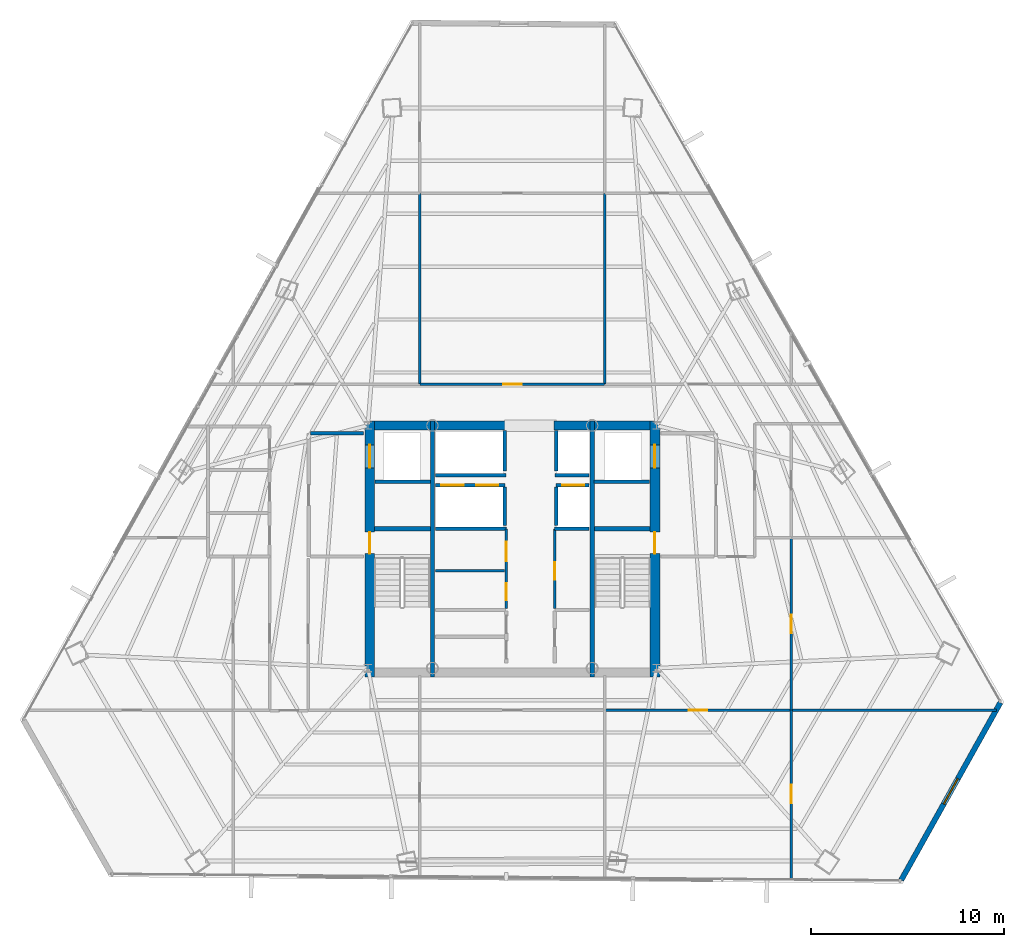
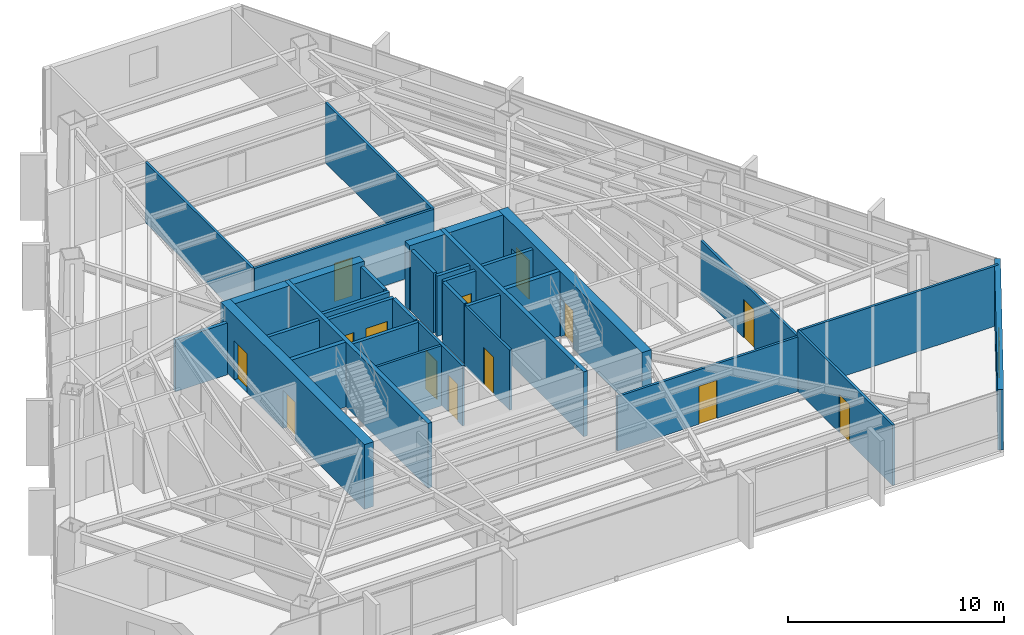
# One storey, part 34 of 38: 34 walls, 14 doors, 1 window, 15 openings.
"""IFC4 building model written with IfcOpenShell, lengths in metres."""

from ifc_helpers import new_model, si_unit, direction, frame, frame_2d, origin, place, context, subcontext, project, spatial, rectangle, extrude, material, layer, layer_set, type_object, element, fill, save


model = new_model("IFC4")

# Units and contexts
model_context = context("Model", 3, precision=1e-05, world=origin(), true_north=direction((0.0, 1.0)))
body_context = subcontext(model_context, "Body", "Model", "MODEL_VIEW")
ifc_project = project(units=[si_unit("LENGTHUNIT", "METRE"), si_unit("AREAUNIT", "SQUARE_METRE"), si_unit("VOLUMEUNIT", "CUBIC_METRE"), si_unit("PLANEANGLEUNIT", "RADIAN"), si_unit("MASSUNIT", "GRAM", prefix="KILO")], contexts=[model_context])

# Site, building, storey
site_placement = place(None, origin())
site = spatial("IfcSite", under=ifc_project, at=site_placement, CompositionType="ELEMENT")
building_placement = place(site_placement, origin())
building = spatial("IfcBuilding", under=site, at=building_placement, Name="Caelisora Broadcast Tower", CompositionType="ELEMENT")
storey_placement = place(building_placement, frame((0.0, 0.0, 154.85009765625)))
storey = spatial("IfcBuildingStorey", under=building, at=storey_placement, Name="L40", CompositionType="ELEMENT", Elevation=154.85009765625)

# Wall, openings, doors
ifc_material_1 = material(Name="Concrete 50 MPa (AS 3600 S50)", Category="concrete")
ifc_layer_1 = layer(ifc_material_1, 0.5, Name="Concrete 50 MPa (AS 3600 S50)")
ifc_layer_set_1 = layer_set([ifc_layer_1], Name="Concrete 50 MPa (AS 3600 S50)")
wall_type_1 = type_object("IfcWallType", Name="CW2", PredefinedType="SHEAR", material=ifc_layer_set_1)
wall_1_placement = place(storey_placement, frame((30.590087890625, 16.949951171875, 0.0), z_axis=(0.0, 0.0, 1.0), x_axis=(0.0, 1.0, 0.0)))
wall_1 = element("IfcWall", 1, at=wall_1_placement, inside=storey, type_object=wall_type_1, Name="L40 core shear wall CW2", PredefinedType="SHEAR", context=body_context, shape_type="SweptSolid", body=[
    extrude(rectangle(XDim=13.275146484375, YDim=0.5, at=frame_2d((6.6376953125, 0.0))), origin(), (0.0, 0.0, 1.0), 3.64990234375),
])
opening_1_placement = place(wall_1_placement, frame((6.39990234375, 0.0, 0.0)))
opening_1 = element("IfcOpeningElement", 2, at=opening_1_placement, cuts=wall_1, Name="Opening FD04", PredefinedType="OPENING", context=body_context, shape_type="SweptSolid", body=[
    extrude(rectangle(XDim=1.1201171875, YDim=2.14990234375, at=frame_2d((0.56005859375, 1.074951171875))), frame((0.0, 0.261962890625, 0.0), z_axis=(0.0, -1.0, 0.0), x_axis=(1.0, 0.0, 0.0)), (0.0, 0.0, 1.0), 0.52392578125),
])
opening_2_placement = place(wall_1_placement, frame((10.85009765625, 0.0, 0.0)))
opening_2 = element("IfcOpeningElement", 3, at=opening_2_placement, cuts=wall_1, Name="Opening LD04", PredefinedType="OPENING", context=body_context, shape_type="SweptSolid", body=[
    extrude(rectangle(XDim=1.199951171875, YDim=2.199951171875, at=frame_2d((0.60009765625, 1.10009765625))), frame((0.0, 0.261962890625, 0.0), z_axis=(0.0, -1.0, 0.0), x_axis=(1.0, 0.0, 0.0)), (0.0, 0.0, 1.0), 0.52392578125),
])
ifc_material_2 = material(Name="Pressurised Fire-Isolated Stair Door", Category="steel")
door_type_1 = type_object("IfcDoorType", Name="FD04", OperationType="NOTDEFINED", PredefinedType="DOOR", material=ifc_material_2)
door_1_placement = place(opening_1_placement, origin())
door_1 = element("IfcDoor", 4, at=door_1_placement, inside=storey, type_object=door_type_1, Name="L40 door FD04 (L40-DR-ST1)", OperationType="SINGLE_SWING_LEFT", OverallHeight=2.14990234375, OverallWidth=1.1201171875, PredefinedType="DOOR", context=body_context, shape_type="SweptSolid", body=[
    extrude(rectangle(XDim=1.1201171875, YDim=2.14990234375, at=frame_2d((0.56005859375, 1.074951171875))), frame((0.0, 0.02490234375, 0.0), z_axis=(0.0, -1.0, 0.0), x_axis=(1.0, 0.0, 0.0)), (0.0, 0.0, 1.0), 0.050048828125),
])
fill(opening_1, door_1)
ifc_material_3 = material(Name="Emergency Firefighting Lift Sliding Landing Door", Category="steel")
door_type_2 = type_object("IfcDoorType", Name="LD04", OperationType="NOTDEFINED", PredefinedType="DOOR", material=ifc_material_3)
door_2_placement = place(opening_2_placement, origin())
door_2 = element("IfcDoor", 5, at=door_2_placement, inside=storey, type_object=door_type_2, Name="L40 door LD04 (L40-LD-FFL1)", OperationType="SLIDING_TO_LEFT", OverallHeight=2.199951171875, OverallWidth=1.199951171875, PredefinedType="DOOR", context=body_context, shape_type="SweptSolid", body=[
    extrude(rectangle(XDim=1.199951171875, YDim=2.199951171875, at=frame_2d((0.60009765625, 1.10009765625))), frame((0.0, 0.02490234375, 0.0), z_axis=(0.0, -1.0, 0.0), x_axis=(1.0, 0.0, 0.0)), (0.0, 0.0, 1.0), 0.050048828125),
])
fill(opening_2, door_2)

wall_2_placement = place(storey_placement, frame((45.409912109375, 16.949951171875, 0.0), z_axis=(0.0, 0.0, 1.0), x_axis=(0.0, 1.0, 0.0)))
wall_2 = element("IfcWall", 6, at=wall_2_placement, inside=storey, type_object=wall_type_1, Name="L40 core shear wall CW2", PredefinedType="SHEAR", context=body_context, shape_type="SweptSolid", body=[
    extrude(rectangle(XDim=13.275146484375, YDim=0.5, at=frame_2d((6.6376953125, 0.0))), origin(), (0.0, 0.0, 1.0), 3.64990234375),
])
opening_3_placement = place(wall_2_placement, frame((6.39990234375, 0.0, 0.0)))
opening_3 = element("IfcOpeningElement", 7, at=opening_3_placement, cuts=wall_2, Name="Opening FD04", PredefinedType="OPENING", context=body_context, shape_type="SweptSolid", body=[
    extrude(rectangle(XDim=1.1201171875, YDim=2.14990234375, at=frame_2d((0.56005859375, 1.074951171875))), frame((0.0, 0.261962890625, 0.0), z_axis=(0.0, -1.0, 0.0), x_axis=(1.0, 0.0, 0.0)), (0.0, 0.0, 1.0), 0.52392578125),
])
opening_4_placement = place(wall_2_placement, frame((10.85009765625, 0.0, 0.0)))
opening_4 = element("IfcOpeningElement", 8, at=opening_4_placement, cuts=wall_2, Name="Opening LD04", PredefinedType="OPENING", context=body_context, shape_type="SweptSolid", body=[
    extrude(rectangle(XDim=1.199951171875, YDim=2.199951171875, at=frame_2d((0.60009765625, 1.10009765625))), frame((0.0, 0.261962890625, 0.0), z_axis=(0.0, -1.0, 0.0), x_axis=(1.0, 0.0, 0.0)), (0.0, 0.0, 1.0), 0.52392578125),
])
door_3_placement = place(opening_3_placement, origin())
door_3 = element("IfcDoor", 9, at=door_3_placement, inside=storey, type_object=door_type_1, Name="L40 door FD04 (L40-DR-ST2)", OperationType="SINGLE_SWING_RIGHT", OverallHeight=2.14990234375, OverallWidth=1.1201171875, PredefinedType="DOOR", context=body_context, shape_type="SweptSolid", body=[
    extrude(rectangle(XDim=1.1201171875, YDim=2.14990234375, at=frame_2d((0.56005859375, 1.074951171875))), frame((0.0, 0.02490234375, 0.0), z_axis=(0.0, -1.0, 0.0), x_axis=(1.0, 0.0, 0.0)), (0.0, 0.0, 1.0), 0.050048828125),
])
fill(opening_3, door_3)
door_4_placement = place(opening_4_placement, origin())
door_4 = element("IfcDoor", 10, at=door_4_placement, inside=storey, type_object=door_type_2, Name="L40 door LD04 (L40-LD-FFL2)", OperationType="SLIDING_TO_RIGHT", OverallHeight=2.199951171875, OverallWidth=1.199951171875, PredefinedType="DOOR", context=body_context, shape_type="SweptSolid", body=[
    extrude(rectangle(XDim=1.199951171875, YDim=2.199951171875, at=frame_2d((0.60009765625, 1.10009765625))), frame((0.0, 0.02490234375, 0.0), z_axis=(0.0, -1.0, 0.0), x_axis=(1.0, 0.0, 0.0)), (0.0, 0.0, 1.0), 0.050048828125),
])
fill(opening_4, door_4)

# Walls
ifc_layer_2 = layer(ifc_material_1, 0.449951171875, Name="Concrete 50 MPa (AS 3600 S50)")
ifc_layer_set_2 = layer_set([ifc_layer_2], Name="Concrete 50 MPa (AS 3600 S50)")
wall_type_2 = type_object("IfcWallType", Name="CW5", PredefinedType="SHEAR", material=ifc_layer_set_2)
wall_3_placement = place(storey_placement, frame((30.840087890625, 30.0, 0.0), z_axis=(0.0, 0.0, 1.0), x_axis=(1.0, 0.0, 0.0)))
element("IfcWall", 11, at=wall_3_placement, inside=storey, type_object=wall_type_2, Name="L40 core shear wall CW5", PredefinedType="SHEAR", context=body_context, shape_type="SweptSolid", body=[
    extrude(rectangle(XDim=2.89990234375, YDim=0.449951171875, at=frame_2d((1.449951171875, 0.0))), origin(), (0.0, 0.0, 1.0), 3.64990234375),
])
wall_4_placement = place(storey_placement, frame((33.9599609375, 30.0, 0.0), z_axis=(0.0, 0.0, 1.0), x_axis=(1.0, 0.0, 0.0)))
element("IfcWall", 12, at=wall_4_placement, inside=storey, type_object=wall_type_2, Name="L40 core shear wall CW5", PredefinedType="SHEAR", context=body_context, shape_type="SweptSolid", body=[
    extrude(rectangle(XDim=3.780029296875, YDim=0.449951171875, at=frame_2d((1.89013671875, 0.0))), origin(), (0.0, 0.0, 1.0), 3.64990234375),
])
wall_5_placement = place(storey_placement, frame((40.159912109375, 30.0, 0.0), z_axis=(0.0, 0.0, 1.0), x_axis=(1.0, 0.0, 0.0)))
element("IfcWall", 13, at=wall_5_placement, inside=storey, type_object=wall_type_2, Name="L40 core shear wall CW5", PredefinedType="SHEAR", context=body_context, shape_type="SweptSolid", body=[
    extrude(rectangle(XDim=1.880126953125, YDim=0.449951171875, at=frame_2d((0.93994140625, 0.0))), origin(), (0.0, 0.0, 1.0), 3.64990234375),
])
wall_6_placement = place(storey_placement, frame((42.260009765625, 30.0, 0.0), z_axis=(0.0, 0.0, 1.0), x_axis=(1.0, 0.0, 0.0)))
element("IfcWall", 14, at=wall_6_placement, inside=storey, type_object=wall_type_2, Name="L40 core shear wall CW5", PredefinedType="SHEAR", context=body_context, shape_type="SweptSolid", body=[
    extrude(rectangle(XDim=2.89990234375, YDim=0.449951171875, at=frame_2d((1.449951171875, 0.0))), origin(), (0.0, 0.0, 1.0), 3.64990234375),
])
ifc_layer_3 = layer(ifc_material_1, 0.219970703125, Name="Concrete 50 MPa (AS 3600 S50)")
ifc_layer_set_3 = layer_set([ifc_layer_3], Name="Concrete 50 MPa (AS 3600 S50)")
wall_type_3 = type_object("IfcWallType", Name="CW7", PredefinedType="SHEAR", material=ifc_layer_set_3)
for number, where, z_axis, x_axis, name in (
    (15, (33.85009765625, 16.949951171875, 0.0), (0.0, 0.0, 1.0), (0.0, 1.0, 0.0), "L40 core shear wall CW7"),
    (16, (42.14990234375, 16.949951171875, 0.0), (0.0, 0.0, 1.0), (0.0, 1.0, 0.0), "L40 core shear wall CW7"),
):
    element("IfcWall", number, at=place(storey_placement, frame(where, z_axis=z_axis, x_axis=x_axis)), inside=storey, type_object=wall_type_3, Name=name, PredefinedType="SHEAR", context=body_context, shape_type="SweptSolid", body=[
        extrude(rectangle(XDim=13.275146484375, YDim=0.219970703125, at=frame_2d((6.6376953125, 0.0))), origin(), (0.0, 0.0, 1.0), 3.64990234375),
    ])
for number, where, z_axis, x_axis, name in (
    (17, (30.840087890625, 24.639892578125, 0.0), (0.0, 0.0, 1.0), (1.0, 0.0, 0.0), "L40 core shear wall CW7"),
    (18, (42.260009765625, 24.639892578125, 0.0), (0.0, 0.0, 1.0), (1.0, 0.0, 0.0), "L40 core shear wall CW7"),
):
    element("IfcWall", number, at=place(storey_placement, frame(where, z_axis=z_axis, x_axis=x_axis)), inside=storey, type_object=wall_type_3, Name=name, PredefinedType="SHEAR", context=body_context, shape_type="SweptSolid", body=[
        extrude(rectangle(XDim=2.89990234375, YDim=0.219970703125, at=frame_2d((1.449951171875, 0.0))), origin(), (0.0, 0.0, 1.0), 3.64990234375),
    ])

# Wall, opening, window
ifc_material_4 = material(Name="Insulated Terracotta Spandrel Wall System", Category="masonry")
ifc_layer_4 = layer(ifc_material_4, 0.280029296875, Name="Insulated Terracotta Spandrel Wall System")
ifc_layer_set_4 = layer_set([ifc_layer_4], Name="Insulated Terracotta Spandrel Wall System")
wall_type_4 = type_object("IfcWallType", Name="EW1", PredefinedType="STANDARD", material=ifc_layer_set_4)
wall_7_placement = place(storey_placement, frame((63.352294921875, 15.61279296875, 0.0), z_axis=(0.0, 0.0, 1.0), x_axis=(-0.487718245704, -0.873001095536, 0.0)))
wall_7 = element("IfcWall", 19, at=wall_7_placement, inside=storey, type_object=wall_type_4, Name="L40 exterior envelope wall EW1", PredefinedType="STANDARD", context=body_context, shape_type="SweptSolid", body=[
    extrude(rectangle(XDim=10.560791015625, YDim=0.280029296875, at=frame_2d((5.2802734375, 0.0))), origin(), (0.0, 0.0, 1.0), 3.39990234375),
])
opening_5_placement = place(wall_7_placement, frame((4.530029296875, 0.0, 0.89990234375)))
opening_5 = element("IfcOpeningElement", 20, at=opening_5_placement, cuts=wall_7, Name="Opening W02", PredefinedType="OPENING", context=body_context, shape_type="SweptSolid", body=[
    extrude(rectangle(XDim=1.5, YDim=1.800048828125, at=frame_2d((0.75, 0.89990234375))), frame((0.0, 0.152099609375, 0.0), z_axis=(0.0, -1.0, 0.0), x_axis=(1.0, 0.0, 0.0)), (0.0, 0.0, 1.0), 0.303955078125),
])
ifc_material_5 = material(Name="Double Glazed Terracotta-Framed Vision Window", Category="glass")
window_type = type_object("IfcWindowType", Name="W02", PartitioningType="SINGLE_PANEL", PredefinedType="WINDOW", material=ifc_material_5)
window_placement = place(opening_5_placement, origin())
window = element("IfcWindow", 21, at=window_placement, inside=storey, type_object=window_type, Name="L40 window W02 (L40-WN-CH0)", OverallHeight=1.800048828125, OverallWidth=1.5, PartitioningType="SINGLE_PANEL", PredefinedType="WINDOW", context=body_context, shape_type="SweptSolid", body=[
    extrude(rectangle(XDim=1.5, YDim=1.800048828125, at=frame_2d((0.75, 0.89990234375))), frame((0.0, 0.030029296875, 0.0), z_axis=(0.0, -1.0, 0.0), x_axis=(1.0, 0.0, 0.0)), (0.0, 0.0, 1.0), 0.06005859375),
])
fill(opening_5, window)

# Wall, openings, doors
ifc_material_6 = material(Name="Fire-Rated Gypsum Shaft and Compartment Wall", Category="gypsum")
ifc_layer_5 = layer(ifc_material_6, 0.179931640625, Name="Fire-Rated Gypsum Shaft and Compartment Wall")
ifc_layer_set_5 = layer_set([ifc_layer_5], Name="Fire-Rated Gypsum Shaft and Compartment Wall")
wall_type_5 = type_object("IfcWallType", Name="PW2", PredefinedType="PARTITIONING", material=ifc_layer_set_5)
wall_8_placement = place(storey_placement, frame((34.02001953125, 26.89990234375, 0.0), z_axis=(0.0, 0.0, 1.0), x_axis=(1.0, 0.0, 0.0)))
wall_8 = element("IfcWall", 22, at=wall_8_placement, inside=storey, type_object=wall_type_5, Name="L40 fire compartment wall PW2", PredefinedType="PARTITIONING", context=body_context, shape_type="SweptSolid", body=[
    extrude(rectangle(XDim=3.60009765625, YDim=0.179931640625, at=frame_2d((1.800048828125, 0.0))), origin(), (0.0, 0.0, 1.0), 3.39990234375),
])
opening_6_placement = place(wall_8_placement, frame((0.300048828125, 0.0, 0.0)))
opening_6 = element("IfcOpeningElement", 23, at=opening_6_placement, cuts=wall_8, Name="Opening LD02", PredefinedType="OPENING", context=body_context, shape_type="SweptSolid", body=[
    extrude(rectangle(XDim=1.14990234375, YDim=2.199951171875, at=frame_2d((0.574951171875, 1.10009765625))), frame((0.0, 0.10205078125, 0.0), z_axis=(0.0, -1.0, 0.0), x_axis=(1.0, 0.0, 0.0)), (0.0, 0.0, 1.0), 0.203857421875),
])
opening_7_placement = place(wall_8_placement, frame((2.10009765625, 0.0, 0.0)))
opening_7 = element("IfcOpeningElement", 24, at=opening_7_placement, cuts=wall_8, Name="Opening LD02", PredefinedType="OPENING", context=body_context, shape_type="SweptSolid", body=[
    extrude(rectangle(XDim=1.14990234375, YDim=2.199951171875, at=frame_2d((0.574951171875, 1.10009765625))), frame((0.0, 0.10205078125, 0.0), z_axis=(0.0, -1.0, 0.0), x_axis=(1.0, 0.0, 0.0)), (0.0, 0.0, 1.0), 0.203857421875),
])
ifc_material_7 = material(Name="High-Speed Express Lift Sliding Landing Door", Category="steel")
door_type_3 = type_object("IfcDoorType", Name="LD02", OperationType="NOTDEFINED", PredefinedType="DOOR", material=ifc_material_7)
door_5_placement = place(opening_6_placement, origin())
door_5 = element("IfcDoor", 25, at=door_5_placement, inside=storey, type_object=door_type_3, Name="L40 door LD02 (L40-LD-PLM1)", OperationType="SLIDING_TO_LEFT", OverallHeight=2.199951171875, OverallWidth=1.14990234375, PredefinedType="DOOR", context=body_context, shape_type="SweptSolid", body=[
    extrude(rectangle(XDim=1.14990234375, YDim=2.199951171875, at=frame_2d((0.574951171875, 1.10009765625))), frame((0.0, 0.02490234375, 0.0), z_axis=(0.0, -1.0, 0.0), x_axis=(1.0, 0.0, 0.0)), (0.0, 0.0, 1.0), 0.050048828125),
])
fill(opening_6, door_5)
door_6_placement = place(opening_7_placement, origin())
door_6 = element("IfcDoor", 26, at=door_6_placement, inside=storey, type_object=door_type_3, Name="L40 door LD02 (L40-LD-PLM2)", OperationType="SLIDING_TO_RIGHT", OverallHeight=2.199951171875, OverallWidth=1.14990234375, PredefinedType="DOOR", context=body_context, shape_type="SweptSolid", body=[
    extrude(rectangle(XDim=1.14990234375, YDim=2.199951171875, at=frame_2d((0.574951171875, 1.10009765625))), frame((0.0, 0.02490234375, 0.0), z_axis=(0.0, -1.0, 0.0), x_axis=(1.0, 0.0, 0.0)), (0.0, 0.0, 1.0), 0.050048828125),
])
fill(opening_7, door_6)

# Wall, opening, door
wall_9_placement = place(storey_placement, frame((40.280029296875, 26.89990234375, 0.0), z_axis=(0.0, 0.0, 1.0), x_axis=(1.0, 0.0, 0.0)))
wall_9 = element("IfcWall", 27, at=wall_9_placement, inside=storey, type_object=wall_type_5, Name="L40 fire compartment wall PW2", PredefinedType="PARTITIONING", context=body_context, shape_type="SweptSolid", body=[
    extrude(rectangle(XDim=1.699951171875, YDim=0.179931640625, at=frame_2d((0.85009765625, 0.0))), origin(), (0.0, 0.0, 1.0), 3.39990234375),
])
opening_8_placement = place(wall_9_placement, frame((0.320068359375, 0.0, 0.0)))
opening_8 = element("IfcOpeningElement", 28, at=opening_8_placement, cuts=wall_9, Name="Opening LD02", PredefinedType="OPENING", context=body_context, shape_type="SweptSolid", body=[
    extrude(rectangle(XDim=1.14990234375, YDim=2.199951171875, at=frame_2d((0.574951171875, 1.10009765625))), frame((0.0, 0.10205078125, 0.0), z_axis=(0.0, -1.0, 0.0), x_axis=(1.0, 0.0, 0.0)), (0.0, 0.0, 1.0), 0.203857421875),
])
door_7_placement = place(opening_8_placement, origin())
door_7 = element("IfcDoor", 29, at=door_7_placement, inside=storey, type_object=door_type_3, Name="L40 door LD02 (L40-LD-PLM3)", OperationType="SLIDING_TO_LEFT", OverallHeight=2.199951171875, OverallWidth=1.14990234375, PredefinedType="DOOR", context=body_context, shape_type="SweptSolid", body=[
    extrude(rectangle(XDim=1.14990234375, YDim=2.199951171875, at=frame_2d((0.574951171875, 1.10009765625))), frame((0.0, 0.02490234375, 0.0), z_axis=(0.0, -1.0, 0.0), x_axis=(1.0, 0.0, 0.0)), (0.0, 0.0, 1.0), 0.050048828125),
])
fill(opening_8, door_7)

# Walls
for number, where, z_axis, x_axis, name in (
    (30, (37.6201171875, 24.800048828125, 0.0), (0.0, 0.0, 1.0), (0.0, 1.0, 0.0), "L40 fire compartment wall PW2"),
    (31, (40.280029296875, 24.800048828125, 0.0), (0.0, 0.0, 1.0), (0.0, 1.0, 0.0), "L40 fire compartment wall PW2"),
):
    element("IfcWall", number, at=place(storey_placement, frame(where, z_axis=z_axis, x_axis=x_axis)), inside=storey, type_object=wall_type_5, Name=name, PredefinedType="PARTITIONING", context=body_context, shape_type="SweptSolid", body=[
        extrude(rectangle(XDim=2.0, YDim=0.179931640625, at=frame_2d((1.0, 0.0))), origin(), (0.0, 0.0, 1.0), 3.39990234375),
    ])
wall_10_placement = place(storey_placement, frame((34.02001953125, 24.639892578125, 0.0), z_axis=(0.0, 0.0, 1.0), x_axis=(1.0, 0.0, 0.0)))
element("IfcWall", 32, at=wall_10_placement, inside=storey, type_object=wall_type_5, Name="L40 fire compartment wall PW2", PredefinedType="PARTITIONING", context=body_context, shape_type="SweptSolid", body=[
    extrude(rectangle(XDim=3.679931640625, YDim=0.179931640625, at=frame_2d((1.83984375, 0.0))), origin(), (0.0, 0.0, 1.0), 3.39990234375),
])
wall_11_placement = place(storey_placement, frame((40.199951171875, 24.639892578125, 0.0), z_axis=(0.0, 0.0, 1.0), x_axis=(1.0, 0.0, 0.0)))
element("IfcWall", 33, at=wall_11_placement, inside=storey, type_object=wall_type_5, Name="L40 fire compartment wall PW2", PredefinedType="PARTITIONING", context=body_context, shape_type="SweptSolid", body=[
    extrude(rectangle(XDim=1.780029296875, YDim=0.179931640625, at=frame_2d((0.89013671875, 0.0))), origin(), (0.0, 0.0, 1.0), 3.39990234375),
])
wall_12_placement = place(storey_placement, frame((34.02001953125, 27.419921875, 0.0), z_axis=(0.0, 0.0, 1.0), x_axis=(1.0, 0.0, 0.0)))
element("IfcWall", 34, at=wall_12_placement, inside=storey, type_object=wall_type_5, Name="L40 fire compartment wall PW2", PredefinedType="PARTITIONING", context=body_context, shape_type="SweptSolid", body=[
    extrude(rectangle(XDim=3.659912109375, YDim=0.179931640625, at=frame_2d((1.830078125, 0.0))), origin(), (0.0, 0.0, 1.0), 3.39990234375),
])
wall_13_placement = place(storey_placement, frame((40.219970703125, 27.419921875, 0.0), z_axis=(0.0, 0.0, 1.0), x_axis=(1.0, 0.0, 0.0)))
element("IfcWall", 35, at=wall_13_placement, inside=storey, type_object=wall_type_5, Name="L40 fire compartment wall PW2", PredefinedType="PARTITIONING", context=body_context, shape_type="SweptSolid", body=[
    extrude(rectangle(XDim=1.760009765625, YDim=0.179931640625, at=frame_2d((0.8798828125, 0.0))), origin(), (0.0, 0.0, 1.0), 3.39990234375),
])
for number, where, z_axis, x_axis, name in (
    (36, (37.6201171875, 27.639892578125, 0.0), (0.0, 0.0, 1.0), (0.0, 1.0, 0.0), "L40 fire compartment wall PW2"),
    (37, (40.280029296875, 27.639892578125, 0.0), (0.0, 0.0, 1.0), (0.0, 1.0, 0.0), "L40 fire compartment wall PW2"),
):
    element("IfcWall", number, at=place(storey_placement, frame(where, z_axis=z_axis, x_axis=x_axis)), inside=storey, type_object=wall_type_5, Name=name, PredefinedType="PARTITIONING", context=body_context, shape_type="SweptSolid", body=[
        extrude(rectangle(XDim=2.110107421875, YDim=0.179931640625, at=frame_2d((1.05517578125, 0.0))), origin(), (0.0, 0.0, 1.0), 3.39990234375),
    ])
wall_14_placement = place(storey_placement, frame((27.52001953125, 29.60009765625, 0.0), z_axis=(0.0, 0.0, 1.0), x_axis=(1.0, 0.0, 0.0)))
element("IfcWall", 38, at=wall_14_placement, inside=storey, type_object=wall_type_5, Name="L40 fire compartment wall PW2", PredefinedType="PARTITIONING", context=body_context, shape_type="SweptSolid", body=[
    extrude(rectangle(XDim=2.760009765625, YDim=0.179931640625, at=frame_2d((1.3798828125, 0.0))), origin(), (0.0, 0.0, 1.0), 2.924560546875),
])
for number, where, z_axis, x_axis, name in (
    (39, (30.860107421875, 27.070068359375, 0.0), (0.0, 0.0, 1.0), (1.0, 0.0, 0.0), "L40 fire compartment wall PW2"),
    (40, (42.239990234375, 27.070068359375, 0.0), (0.0, 0.0, 1.0), (1.0, 0.0, 0.0), "L40 fire compartment wall PW2"),
):
    element("IfcWall", number, at=place(storey_placement, frame(where, z_axis=z_axis, x_axis=x_axis)), inside=storey, type_object=wall_type_5, Name=name, PredefinedType="PARTITIONING", context=body_context, shape_type="SweptSolid", body=[
        extrude(rectangle(XDim=2.89990234375, YDim=0.179931640625, at=frame_2d((1.449951171875, 0.0))), origin(), (0.0, 0.0, 1.0), 3.39990234375),
    ])
ifc_material_8 = material(Name="Acoustic Steel-Stud Plasterboard Partition", Category="gypsum")
ifc_layer_6 = layer(ifc_material_8, 0.1298828125, Name="Acoustic Steel-Stud Plasterboard Partition")
ifc_layer_set_6 = layer_set([ifc_layer_6], Name="Acoustic Steel-Stud Plasterboard Partition")
wall_type_6 = type_object("IfcWallType", Name="PW3", PredefinedType="PARTITIONING", material=ifc_layer_set_6)
wall_15_placement = place(storey_placement, frame((34.02001953125, 22.449951171875, 0.0), z_axis=(0.0, 0.0, 1.0), x_axis=(1.0, 0.0, 0.0)))
element("IfcWall", 41, at=wall_15_placement, inside=storey, type_object=wall_type_6, Name="L40 internal partition PW3", PredefinedType="PARTITIONING", context=body_context, shape_type="SweptSolid", body=[
    extrude(rectangle(XDim=3.580078125, YDim=0.1298828125, at=frame_2d((1.7900390625, 0.0))), origin(), (0.0, 0.0, 1.0), 3.39990234375),
])

# Wall, openings, doors
wall_16_placement = place(storey_placement, frame((37.679931640625, 20.5, 0.0), z_axis=(0.0, 0.0, 1.0), x_axis=(0.0, 1.0, 0.0)))
wall_16 = element("IfcWall", 42, at=wall_16_placement, inside=storey, type_object=wall_type_6, Name="L40 internal partition PW3", PredefinedType="PARTITIONING", context=body_context, shape_type="SweptSolid", body=[
    extrude(rectangle(XDim=4.139892578125, YDim=0.1298828125, at=frame_2d((2.06982421875, 0.0))), origin(), (0.0, 0.0, 1.0), 3.39990234375),
])
opening_9_placement = place(wall_16_placement, frame((0.419921875, 0.0, 0.0)))
opening_9 = element("IfcOpeningElement", 43, at=opening_9_placement, cuts=wall_16, Name="Opening FD03", PredefinedType="OPENING", context=body_context, shape_type="SweptSolid", body=[
    extrude(rectangle(XDim=0.89990234375, YDim=2.10009765625, at=frame_2d((0.449951171875, 1.050048828125))), frame((0.0, 0.076904296875, 0.0), z_axis=(0.0, -1.0, 0.0), x_axis=(1.0, 0.0, 0.0)), (0.0, 0.0, 1.0), 0.15380859375),
])
opening_10_placement = place(wall_16_placement, frame((2.449951171875, 0.0, 0.0)))
opening_10 = element("IfcOpeningElement", 44, at=opening_10_placement, cuts=wall_16, Name="Opening D02", PredefinedType="OPENING", context=body_context, shape_type="SweptSolid", body=[
    extrude(rectangle(XDim=1.02001953125, YDim=2.14990234375, at=frame_2d((0.510009765625, 1.074951171875))), frame((0.0, 0.076904296875, 0.0), z_axis=(0.0, -1.0, 0.0), x_axis=(1.0, 0.0, 0.0)), (0.0, 0.0, 1.0), 0.15380859375),
])
ifc_material_9 = material(Name="Solid-Core Timber Archive Suite Door", Category="wood")
door_type_4 = type_object("IfcDoorType", Name="D02", OperationType="NOTDEFINED", PredefinedType="DOOR", material=ifc_material_9)
door_8_placement = place(opening_10_placement, origin())
door_8 = element("IfcDoor", 45, at=door_8_placement, inside=storey, type_object=door_type_4, Name="L40 door D02 (L40-DR-P12D2)", OperationType="SINGLE_SWING_LEFT", OverallHeight=2.14990234375, OverallWidth=1.02001953125, PredefinedType="DOOR", context=body_context, shape_type="SweptSolid", body=[
    extrude(rectangle(XDim=1.02001953125, YDim=2.14990234375, at=frame_2d((0.510009765625, 1.074951171875))), frame((0.0, 0.02490234375, 0.0), z_axis=(0.0, -1.0, 0.0), x_axis=(1.0, 0.0, 0.0)), (0.0, 0.0, 1.0), 0.050048828125),
])
fill(opening_10, door_8)
ifc_material_10 = material(Name="Single-Leaf Steel Riser Fire Access Door", Category="steel")
door_type_5 = type_object("IfcDoorType", Name="FD03", OperationType="NOTDEFINED", PredefinedType="DOOR", material=ifc_material_10)
door_9_placement = place(opening_9_placement, origin())
door_9 = element("IfcDoor", 46, at=door_9_placement, inside=storey, type_object=door_type_5, Name="L40 door FD03 (L40-DR-P12D1)", OperationType="SINGLE_SWING_RIGHT", OverallHeight=2.10009765625, OverallWidth=0.89990234375, PredefinedType="DOOR", context=body_context, shape_type="SweptSolid", body=[
    extrude(rectangle(XDim=0.89990234375, YDim=2.10009765625, at=frame_2d((0.449951171875, 1.050048828125))), frame((0.0, 0.02490234375, 0.0), z_axis=(0.0, -1.0, 0.0), x_axis=(1.0, 0.0, 0.0)), (0.0, 0.0, 1.0), 0.050048828125),
])
fill(opening_9, door_9)

# Wall, opening, door
wall_17_placement = place(storey_placement, frame((40.199951171875, 20.5, 0.0), z_axis=(0.0, 0.0, 1.0), x_axis=(0.0, 1.0, 0.0)))
wall_17 = element("IfcWall", 47, at=wall_17_placement, inside=storey, type_object=wall_type_6, Name="L40 internal partition PW3", PredefinedType="PARTITIONING", context=body_context, shape_type="SweptSolid", body=[
    extrude(rectangle(XDim=4.139892578125, YDim=0.1298828125, at=frame_2d((2.06982421875, 0.0))), origin(), (0.0, 0.0, 1.0), 3.39990234375),
])
opening_11_placement = place(wall_17_placement, frame((1.5, 0.0, 0.0)))
opening_11 = element("IfcOpeningElement", 48, at=opening_11_placement, cuts=wall_17, Name="Opening FD03", PredefinedType="OPENING", context=body_context, shape_type="SweptSolid", body=[
    extrude(rectangle(XDim=0.89990234375, YDim=2.10009765625, at=frame_2d((0.449951171875, 1.050048828125))), frame((0.0, 0.076904296875, 0.0), z_axis=(0.0, -1.0, 0.0), x_axis=(1.0, 0.0, 0.0)), (0.0, 0.0, 1.0), 0.15380859375),
])
door_10_placement = place(opening_11_placement, origin())
door_10 = element("IfcDoor", 49, at=door_10_placement, inside=storey, type_object=door_type_5, Name="L40 door FD03 (L40-DR-P13D1)", OperationType="SINGLE_SWING_RIGHT", OverallHeight=2.10009765625, OverallWidth=0.89990234375, PredefinedType="DOOR", context=body_context, shape_type="SweptSolid", body=[
    extrude(rectangle(XDim=0.89990234375, YDim=2.10009765625, at=frame_2d((0.449951171875, 1.050048828125))), frame((0.0, 0.02490234375, 0.0), z_axis=(0.0, -1.0, 0.0), x_axis=(1.0, 0.0, 0.0)), (0.0, 0.0, 1.0), 0.050048828125),
])
fill(opening_11, door_10)

# Walls
wall_18_placement = place(storey_placement, frame((52.5048828125, 15.219970703125, 0.0), z_axis=(0.0, 0.0, 1.0), x_axis=(1.0, 0.0, 0.0)))
element("IfcWall", 50, at=wall_18_placement, inside=storey, type_object=wall_type_6, Name="L40 internal partition PW3", PredefinedType="PARTITIONING", context=body_context, shape_type="SweptSolid", body=[
    extrude(rectangle(XDim=10.63330078125, YDim=0.1298828125, at=frame_2d((5.316650390625, 0.0))), origin(), (0.0, 0.0, 1.0), 3.39990234375),
])
for number, where, z_axis, x_axis, name in (
    (51, (42.800048828125, 32.155029296875, 0.0), (0.0, 0.0, 1.0), (0.0, 1.0, 0.0), "L40 internal partition PW3"),
    (52, (33.199951171875, 32.155029296875, 0.0), (0.0, 0.0, 1.0), (0.0, 1.0, 0.0), "L40 internal partition PW3"),
):
    element("IfcWall", number, at=place(storey_placement, frame(where, z_axis=z_axis, x_axis=x_axis)), inside=storey, type_object=wall_type_6, Name=name, PredefinedType="PARTITIONING", context=body_context, shape_type="SweptSolid", body=[
        extrude(rectangle(XDim=9.89990234375, YDim=0.1298828125, at=frame_2d((4.949951171875, 0.0))), origin(), (0.0, 0.0, 1.0), 3.39990234375),
    ])

# Wall, opening, door
wall_19_placement = place(storey_placement, frame((42.804931640625, 15.219970703125, 0.0), z_axis=(0.0, 0.0, 1.0), x_axis=(1.0, 0.0, 0.0)))
wall_19 = element("IfcWall", 53, at=wall_19_placement, inside=storey, type_object=wall_type_6, Name="L40 internal partition PW3", PredefinedType="PARTITIONING", context=body_context, shape_type="SweptSolid", body=[
    extrude(rectangle(XDim=9.690185546875, YDim=0.1298828125, at=frame_2d((4.84521484375, 0.0))), origin(), (0.0, 0.0, 1.0), 3.07763671875),
])
opening_12_placement = place(wall_19_placement, frame((4.364990234375, 0.0, 0.0)))
opening_12 = element("IfcOpeningElement", 54, at=opening_12_placement, cuts=wall_19, Name="Opening D01", PredefinedType="OPENING", context=body_context, shape_type="SweptSolid", body=[
    extrude(rectangle(XDim=0.9599609375, YDim=2.14990234375, at=frame_2d((0.47998046875, 1.074951171875))), frame((0.0, 0.076904296875, 0.0), z_axis=(0.0, -1.0, 0.0), x_axis=(1.0, 0.0, 0.0)), (0.0, 0.0, 1.0), 0.15380859375),
])
ifc_material_11 = material(Name="Solid-Core Timber Acoustic Office Door", Category="wood")
door_type_6 = type_object("IfcDoorType", Name="D01", OperationType="NOTDEFINED", PredefinedType="DOOR", material=ifc_material_11)
door_11_placement = place(opening_12_placement, origin())
door_11 = element("IfcDoor", 55, at=door_11_placement, inside=storey, type_object=door_type_6, Name="L40 door D01 (L40-DR-P37D1)", OperationType="SINGLE_SWING_RIGHT", OverallHeight=2.14990234375, OverallWidth=0.9599609375, PredefinedType="DOOR", context=body_context, shape_type="SweptSolid", body=[
    extrude(rectangle(XDim=0.9599609375, YDim=2.14990234375, at=frame_2d((0.47998046875, 1.074951171875))), frame((0.0, 0.02490234375, 0.0), z_axis=(0.0, -1.0, 0.0), x_axis=(1.0, 0.0, 0.0)), (0.0, 0.0, 1.0), 0.050048828125),
])
fill(opening_12, door_11)

wall_20_placement = place(storey_placement, frame((33.205078125, 32.14990234375, 0.0), z_axis=(0.0, 0.0, 1.0), x_axis=(1.0, 0.0, 0.0)))
wall_20 = element("IfcWall", 56, at=wall_20_placement, inside=storey, type_object=wall_type_6, Name="L40 internal partition PW3", PredefinedType="PARTITIONING", context=body_context, shape_type="SweptSolid", body=[
    extrude(rectangle(XDim=9.58984375, YDim=0.1298828125, at=frame_2d((4.794921875, 0.0))), origin(), (0.0, 0.0, 1.0), 3.39990234375),
])
opening_13_placement = place(wall_20_placement, frame((4.31494140625, 0.0, 0.0)))
opening_13 = element("IfcOpeningElement", 57, at=opening_13_placement, cuts=wall_20, Name="Opening D01", PredefinedType="OPENING", context=body_context, shape_type="SweptSolid", body=[
    extrude(rectangle(XDim=0.9599609375, YDim=2.14990234375, at=frame_2d((0.47998046875, 1.074951171875))), frame((0.0, 0.076904296875, 0.0), z_axis=(0.0, -1.0, 0.0), x_axis=(1.0, 0.0, 0.0)), (0.0, 0.0, 1.0), 0.15380859375),
])
door_12_placement = place(opening_13_placement, origin())
door_12 = element("IfcDoor", 58, at=door_12_placement, inside=storey, type_object=door_type_6, Name="L40 door D01 (L40-DR-P38D1)", OperationType="SINGLE_SWING_LEFT", OverallHeight=2.14990234375, OverallWidth=0.9599609375, PredefinedType="DOOR", context=body_context, shape_type="SweptSolid", body=[
    extrude(rectangle(XDim=0.9599609375, YDim=2.14990234375, at=frame_2d((0.47998046875, 1.074951171875))), frame((0.0, 0.02490234375, 0.0), z_axis=(0.0, -1.0, 0.0), x_axis=(1.0, 0.0, 0.0)), (0.0, 0.0, 1.0), 0.050048828125),
])
fill(opening_13, door_12)

wall_21_placement = place(storey_placement, frame((52.5, 15.22509765625, 0.0), z_axis=(0.0, 0.0, 1.0), x_axis=(0.0, 1.0, 0.0)))
wall_21 = element("IfcWall", 59, at=wall_21_placement, inside=storey, type_object=wall_type_6, Name="L40 internal partition PW3", PredefinedType="PARTITIONING", context=body_context, shape_type="SweptSolid", body=[
    extrude(rectangle(XDim=8.93994140625, YDim=0.1298828125, at=frame_2d((4.469970703125, 0.0))), origin(), (0.0, 0.0, 1.0), 3.07763671875),
])
opening_14_placement = place(wall_21_placement, frame((3.989990234375, 0.0, 0.0)))
opening_14 = element("IfcOpeningElement", 60, at=opening_14_placement, cuts=wall_21, Name="Opening D01", PredefinedType="OPENING", context=body_context, shape_type="SweptSolid", body=[
    extrude(rectangle(XDim=0.9599609375, YDim=2.14990234375, at=frame_2d((0.47998046875, 1.074951171875))), frame((0.0, 0.076904296875, 0.0), z_axis=(0.0, -1.0, 0.0), x_axis=(1.0, 0.0, 0.0)), (0.0, 0.0, 1.0), 0.15380859375),
])
door_13_placement = place(opening_14_placement, origin())
door_13 = element("IfcDoor", 61, at=door_13_placement, inside=storey, type_object=door_type_6, Name="L40 door D01 (L40-DR-P41D1)", OperationType="SINGLE_SWING_RIGHT", OverallHeight=2.14990234375, OverallWidth=0.9599609375, PredefinedType="DOOR", context=body_context, shape_type="SweptSolid", body=[
    extrude(rectangle(XDim=0.9599609375, YDim=2.14990234375, at=frame_2d((0.47998046875, 1.074951171875))), frame((0.0, 0.02490234375, 0.0), z_axis=(0.0, -1.0, 0.0), x_axis=(1.0, 0.0, 0.0)), (0.0, 0.0, 1.0), 0.050048828125),
])
fill(opening_14, door_13)

wall_22_placement = place(storey_placement, frame((52.5, 6.40869140625, 0.0), z_axis=(0.0, 0.0, 1.0), x_axis=(0.0, 1.0, 0.0)))
wall_22 = element("IfcWall", 62, at=wall_22_placement, inside=storey, type_object=wall_type_6, Name="L40 internal partition PW3", PredefinedType="PARTITIONING", context=body_context, shape_type="SweptSolid", body=[
    extrude(rectangle(XDim=8.806396484375, YDim=0.1298828125, at=frame_2d((4.4033203125, 0.0))), origin(), (0.0, 0.0, 1.0), 3.39990234375),
])
opening_15_placement = place(wall_22_placement, frame((3.972900390625, 0.0, 0.0)))
opening_15 = element("IfcOpeningElement", 63, at=opening_15_placement, cuts=wall_22, Name="Opening D01", PredefinedType="OPENING", context=body_context, shape_type="SweptSolid", body=[
    extrude(rectangle(XDim=0.9599609375, YDim=2.14990234375, at=frame_2d((0.47998046875, 1.074951171875))), frame((0.0, 0.076904296875, 0.0), z_axis=(0.0, -1.0, 0.0), x_axis=(1.0, 0.0, 0.0)), (0.0, 0.0, 1.0), 0.15380859375),
])
door_14_placement = place(opening_15_placement, origin())
door_14 = element("IfcDoor", 64, at=door_14_placement, inside=storey, type_object=door_type_6, Name="L40 door D01 (L40-DR-P43D1)", OperationType="SINGLE_SWING_RIGHT", OverallHeight=2.14990234375, OverallWidth=0.9599609375, PredefinedType="DOOR", context=body_context, shape_type="SweptSolid", body=[
    extrude(rectangle(XDim=0.9599609375, YDim=2.14990234375, at=frame_2d((0.47998046875, 1.074951171875))), frame((0.0, 0.02490234375, 0.0), z_axis=(0.0, -1.0, 0.0), x_axis=(1.0, 0.0, 0.0)), (0.0, 0.0, 1.0), 0.050048828125),
])
fill(opening_15, door_14)

save(model, "model.ifc")
